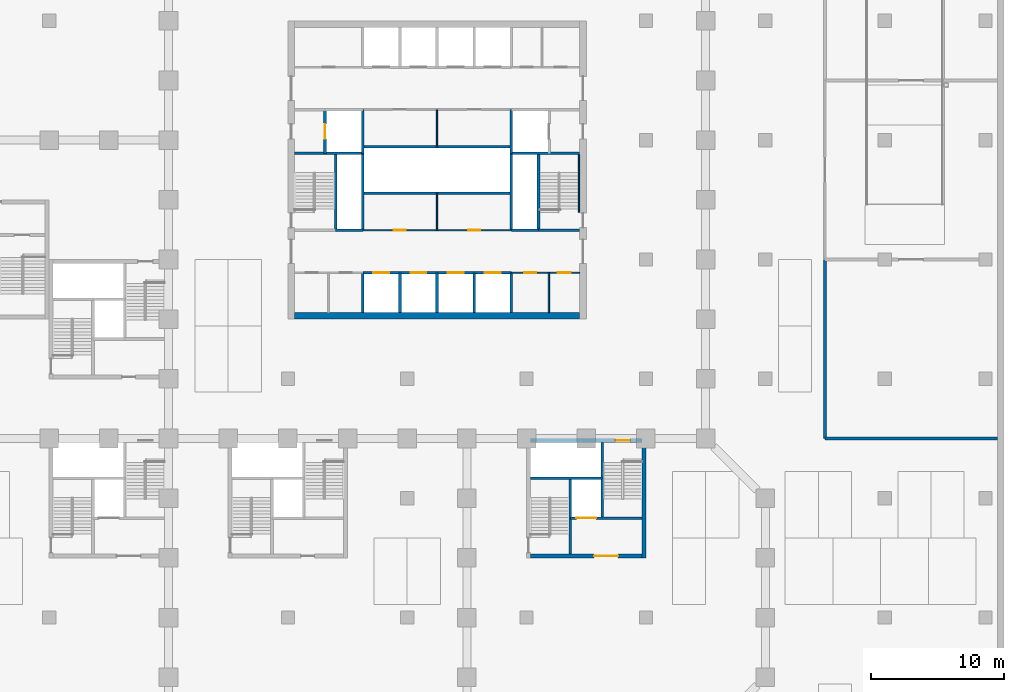
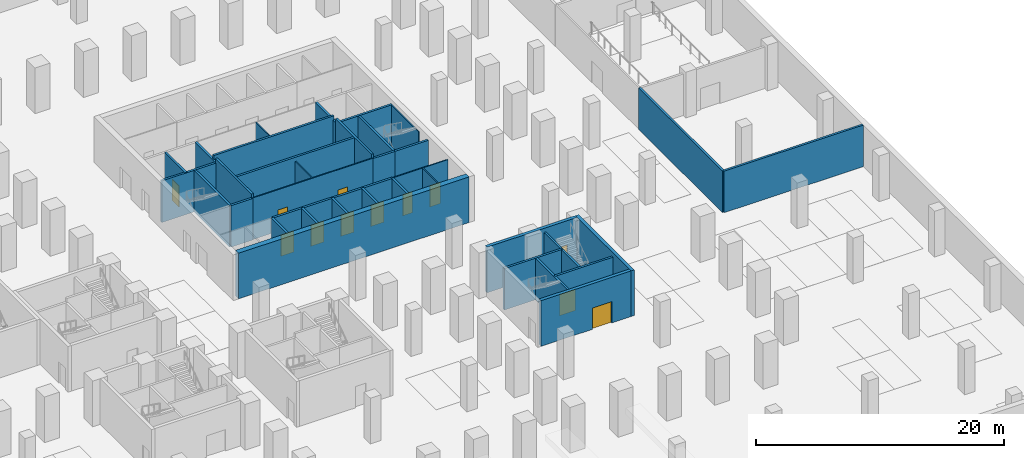
# One storey, part 9 of 16: 36 walls, 12 doors, 12 openings.
"""IFC4 building model written with IfcOpenShell, lengths in metres."""

from ifc_helpers import new_model, si_unit, direction, frame, frame_2d, origin, place, context, subcontext, project, spatial, rectangle, extrude, material, layer, layer_set, type_object, element, fill, save


model = new_model("IFC4")

# Units and contexts
model_context = context("Model", 3, precision=1e-05, world=origin(), true_north=direction((0.0, 1.0)))
body_context = subcontext(model_context, "Body", "Model", "MODEL_VIEW")
ifc_project = project(units=[si_unit("LENGTHUNIT", "METRE"), si_unit("AREAUNIT", "SQUARE_METRE"), si_unit("VOLUMEUNIT", "CUBIC_METRE"), si_unit("PLANEANGLEUNIT", "RADIAN"), si_unit("MASSUNIT", "GRAM", prefix="KILO")], contexts=[model_context])

# Site, building, storey
site_placement = place(None, origin())
site = spatial("IfcSite", under=ifc_project, at=site_placement, CompositionType="ELEMENT")
building_placement = place(site_placement, origin())
building = spatial("IfcBuilding", under=site, at=building_placement, Name="Quoin Convention Tower", CompositionType="ELEMENT")
storey_placement = place(building_placement, frame((0.0, 0.0, -4.5)))
storey = spatial("IfcBuildingStorey", under=building, at=storey_placement, Name="B1", CompositionType="ELEMENT", Elevation=-4.5)

# Walls
ifc_material_1 = material(Name="Plasterboard")
ifc_layer_1 = layer(ifc_material_1, 0.012451171875, Name="Finish")
ifc_material_2 = material(Name="Steel stud framing", Category="steel")
ifc_layer_2 = layer(ifc_material_2, 0.175048828125, Name="Structure")
ifc_layer_3 = layer(ifc_material_1, 0.012451171875, Name="Finish")
ifc_layer_set_1 = layer_set([ifc_layer_1, ifc_layer_2, ifc_layer_3], Name="Steel stud framing")
wall_type_1 = type_object("IfcWallType", Name="Block wall 200", PredefinedType="PARTITIONING", material=ifc_layer_set_1)
wall_1_placement = place(storey_placement, frame((85.5, 40.5, 0.0), z_axis=(0.0, 0.0, 1.0), x_axis=(1.0, 0.0, 0.0)))
element("IfcWall", 1, at=wall_1_placement, inside=storey, type_object=wall_type_1, Name="pw-B1-014", PredefinedType="PARTITIONING", context=body_context, shape_type="SweptSolid", body=[
    extrude(rectangle(XDim=13.0, YDim=0.199951171875, at=frame_2d((6.5, 0.0))), origin(), (0.0, 0.0, 1.0), 4.10009765625),
])
wall_2_placement = place(storey_placement, frame((85.5, 40.5, 0.0), z_axis=(0.0, 0.0, 1.0), x_axis=(0.0, 1.0, 0.0)))
element("IfcWall", 2, at=wall_2_placement, inside=storey, type_object=wall_type_1, Name="pw-B1-015", PredefinedType="PARTITIONING", context=body_context, shape_type="SweptSolid", body=[
    extrude(rectangle(XDim=13.5, YDim=0.199951171875, at=frame_2d((6.75, 0.0))), origin(), (0.0, 0.0, 1.0), 4.10009765625),
])

# Wall, openings, doors
ifc_layer_4 = layer(ifc_material_1, 0.012451171875, Name="Finish")
ifc_layer_5 = layer(ifc_material_2, 0.074951171875, Name="Structure")
ifc_layer_6 = layer(ifc_material_1, 0.012451171875, Name="Finish")
ifc_layer_set_2 = layer_set([ifc_layer_4, ifc_layer_5, ifc_layer_6], Name="Steel stud framing")
wall_type_2 = type_object("IfcWallType", Name="Core partition wall", PredefinedType="PARTITIONING", material=ifc_layer_set_2)
wall_3_placement = place(storey_placement, frame((61.85009765625, 53.0, 0.0), z_axis=(0.0, 0.0, 1.0), x_axis=(1.0, 0.0, 0.0)))
wall_3 = element("IfcWall", 3, at=wall_3_placement, inside=storey, type_object=wall_type_2, Name="cr-C1-B1-h3500_16850", PredefinedType="PARTITIONING", context=body_context, shape_type="SweptSolid", body=[
    extrude(rectangle(XDim=5.14990234375, YDim=0.10009765625, at=frame_2d((2.574951171875, 0.0))), origin(), (0.0, 0.0, 1.0), 4.10009765625),
])
opening_1_placement = place(wall_3_placement, frame((3.4912109375, 0.0, 0.0)))
opening_1 = element("IfcOpeningElement", 4, at=opening_1_placement, cuts=wall_3, Name="Opening DCV0-30", PredefinedType="OPENING", context=body_context, shape_type="SweptSolid", body=[
    extrude(rectangle(XDim=1.0, YDim=2.10009765625, at=frame_2d((0.5, 1.050048828125))), frame((0.0, 0.06005859375, 0.0), z_axis=(0.0, -1.0, 0.0), x_axis=(1.0, 0.0, 0.0)), (0.0, 0.0, 1.0), 0.1201171875),
])
opening_2_placement = place(wall_3_placement, frame((0.96630859375, 0.0, 0.0)))
opening_2 = element("IfcOpeningElement", 5, at=opening_2_placement, cuts=wall_3, Name="Opening DCV0-27", PredefinedType="OPENING", context=body_context, shape_type="SweptSolid", body=[
    extrude(rectangle(XDim=0.89990234375, YDim=2.10009765625, at=frame_2d((0.449951171875, 1.050048828125))), frame((0.0, 0.06005859375, 0.0), z_axis=(0.0, -1.0, 0.0), x_axis=(1.0, 0.0, 0.0)), (0.0, 0.0, 1.0), 0.1201171875),
])
ifc_material_3 = material(Name="Steel door leaf", Category="steel")
door_type_1 = type_object("IfcDoorType", Name="Core room door 1000 x 2100", OperationType="SINGLE_SWING_LEFT", PredefinedType="DOOR", material=ifc_material_3)
door_1_placement = place(opening_1_placement, frame((1.0, 0.0, 0.0), z_axis=(0.0, 0.0, 1.0), x_axis=(-1.0, 0.0, 0.0)))
door_1 = element("IfcDoor", 6, at=door_1_placement, inside=storey, type_object=door_type_1, Name="cd-C1-B1-CSE0-lobA-CDB110", OperationType="SINGLE_SWING_LEFT", OverallHeight=2.10009765625, OverallWidth=1.0, PredefinedType="DOOR", context=body_context, shape_type="SweptSolid", body=[
    extrude(rectangle(XDim=1.0, YDim=2.10009765625, at=frame_2d((0.5, 1.050048828125))), frame((0.0, 0.02490234375, 0.0), z_axis=(0.0, -1.0, 0.0), x_axis=(1.0, 0.0, 0.0)), (0.0, 0.0, 1.0), 0.050048828125),
])
fill(opening_1, door_1)
door_type_2 = type_object("IfcDoorType", Name="Core room door 900 x 2100", OperationType="SINGLE_SWING_LEFT", PredefinedType="DOOR", material=ifc_material_3)
door_2_placement = place(opening_2_placement, frame((0.89990234375, 0.0, 0.0), z_axis=(0.0, 0.0, 1.0), x_axis=(-1.0, 0.0, 0.0)))
door_2 = element("IfcDoor", 7, at=door_2_placement, inside=storey, type_object=door_type_2, Name="cd-C1-B1-CSE1-lobA-CDB111", OperationType="SINGLE_SWING_RIGHT", OverallHeight=2.10009765625, OverallWidth=0.89990234375, PredefinedType="DOOR", context=body_context, shape_type="SweptSolid", body=[
    extrude(rectangle(XDim=0.89990234375, YDim=2.10009765625, at=frame_2d((0.449951171875, 1.050048828125))), frame((0.0, 0.02490234375, 0.0), z_axis=(0.0, -1.0, 0.0), x_axis=(1.0, 0.0, 0.0)), (0.0, 0.0, 1.0), 0.050048828125),
])
fill(opening_2, door_2)

wall_4_placement = place(storey_placement, frame((50.64990234375, 56.199951171875, 0.0), z_axis=(0.0, 0.0, 1.0), x_axis=(1.0, 0.0, 0.0)))
wall_4 = element("IfcWall", 8, at=wall_4_placement, inside=storey, type_object=wall_type_2, Name="cr-C1-B1-h6700_5650", PredefinedType="PARTITIONING", context=body_context, shape_type="SweptSolid", body=[
    extrude(rectangle(XDim=11.2001953125, YDim=0.10009765625, at=frame_2d((5.60009765625, 0.0))), origin(), (0.0, 0.0, 1.0), 4.10009765625),
])
opening_3_placement = place(wall_4_placement, frame((2.35009765625, 0.0, 0.0)))
opening_3 = element("IfcOpeningElement", 9, at=opening_3_placement, cuts=wall_4, Name="Opening DCV0-54", PredefinedType="OPENING", context=body_context, shape_type="SweptSolid", body=[
    extrude(rectangle(XDim=0.89990234375, YDim=2.10009765625, at=frame_2d((0.449951171875, 1.050048828125))), frame((0.0, 0.06005859375, 0.0), z_axis=(0.0, -1.0, 0.0), x_axis=(1.0, 0.0, 0.0)), (0.0, 0.0, 1.0), 0.1201171875),
])
opening_4_placement = place(wall_4_placement, frame((7.949951171875, 0.0, 0.0)))
opening_4 = element("IfcOpeningElement", 10, at=opening_4_placement, cuts=wall_4, Name="Opening DCV0-55", PredefinedType="OPENING", context=body_context, shape_type="SweptSolid", body=[
    extrude(rectangle(XDim=0.89990234375, YDim=2.10009765625, at=frame_2d((0.449951171875, 1.050048828125))), frame((0.0, 0.06005859375, 0.0), z_axis=(0.0, -1.0, 0.0), x_axis=(1.0, 0.0, 0.0)), (0.0, 0.0, 1.0), 0.1201171875),
])
door_3_placement = place(opening_3_placement, origin())
door_3 = element("IfcDoor", 11, at=door_3_placement, inside=storey, type_object=door_type_2, Name="cd-C1-B1-F20-lobA-CDB114", OperationType="SINGLE_SWING_RIGHT", OverallHeight=2.10009765625, OverallWidth=0.89990234375, PredefinedType="DOOR", context=body_context, shape_type="SweptSolid", body=[
    extrude(rectangle(XDim=0.89990234375, YDim=2.10009765625, at=frame_2d((0.449951171875, 1.050048828125))), frame((0.0, 0.02490234375, 0.0), z_axis=(0.0, -1.0, 0.0), x_axis=(1.0, 0.0, 0.0)), (0.0, 0.0, 1.0), 0.050048828125),
])
fill(opening_3, door_3)
door_4_placement = place(opening_4_placement, origin())
door_4 = element("IfcDoor", 12, at=door_4_placement, inside=storey, type_object=door_type_2, Name="cd-C1-B1-F21-lobA-CDB115", OperationType="SINGLE_SWING_RIGHT", OverallHeight=2.10009765625, OverallWidth=0.89990234375, PredefinedType="DOOR", context=body_context, shape_type="SweptSolid", body=[
    extrude(rectangle(XDim=0.89990234375, YDim=2.10009765625, at=frame_2d((0.449951171875, 1.050048828125))), frame((0.0, 0.02490234375, 0.0), z_axis=(0.0, -1.0, 0.0), x_axis=(1.0, 0.0, 0.0)), (0.0, 0.0, 1.0), 0.050048828125),
])
fill(opening_4, door_4)

# Walls
for number, where, z_axis, x_axis, name in (
    (13, (56.25, 56.199951171875, 0.0), (0.0, 0.0, 1.0), (0.0, 1.0, 0.0), "cr-C1-B1-v11250_6700"),
    (14, (56.25, 62.5, 0.0), (0.0, 0.0, 1.0), (0.0, 1.0, 0.0), "cr-C1-B1-v11250_13000"),
):
    element("IfcWall", number, at=place(storey_placement, frame(where, z_axis=z_axis, x_axis=x_axis)), inside=storey, type_object=wall_type_2, Name=name, PredefinedType="PARTITIONING", context=body_context, shape_type="SweptSolid", body=[
        extrude(rectangle(XDim=2.800048828125, YDim=0.10009765625, at=frame_2d((1.39990234375, 0.0))), origin(), (0.0, 0.0, 1.0), 4.10009765625),
    ])
wall_5_placement = place(storey_placement, frame((64.6826171875, 50.0, 0.0), z_axis=(0.0, 0.0, 1.0), x_axis=(0.0, 1.0, 0.0)))
element("IfcWall", 15, at=wall_5_placement, inside=storey, type_object=wall_type_2, Name="cr-C1-B1-v19682_500", PredefinedType="PARTITIONING", context=body_context, shape_type="SweptSolid", body=[
    extrude(rectangle(XDim=3.0, YDim=0.10009765625, at=frame_2d((1.5, 0.0))), origin(), (0.0, 0.0, 1.0), 4.10009765625),
])

# Wall, openings, doors
ifc_material_4 = material(Name="Concrete C50", Category="concrete")
ifc_layer_7 = layer(ifc_material_4, 0.199951171875)
ifc_layer_set_3 = layer_set([ifc_layer_7], Name="Concrete C50")
wall_type_3 = type_object("IfcWallType", Name="Core shaft wall", PredefinedType="SOLIDWALL", material=ifc_layer_set_3)
wall_6_placement = place(storey_placement, frame((50.64990234375, 53.0, 0.0), z_axis=(0.0, 0.0, 1.0), x_axis=(1.0, 0.0, 0.0)))
wall_6 = element("IfcWall", 16, at=wall_6_placement, inside=storey, type_object=wall_type_3, Name="cr-C1-B1-h3500_5650", PredefinedType="SOLIDWALL", context=body_context, shape_type="SweptSolid", body=[
    extrude(rectangle(XDim=11.2001953125, YDim=0.199951171875, at=frame_2d((5.60009765625, 0.0))), origin(), (0.0, 0.0, 1.0), 4.10009765625),
])
opening_5_placement = place(wall_6_placement, frame((0.800048828125, 0.0, 0.0)))
opening_5 = element("IfcOpeningElement", 17, at=opening_5_placement, cuts=wall_6, Name="Opening LDL1", PredefinedType="OPENING", context=body_context, shape_type="SweptSolid", body=[
    extrude(rectangle(XDim=1.199951171875, YDim=2.10009765625, at=frame_2d((0.60009765625, 1.050048828125))), frame((0.0, 0.10986328125, 0.0), z_axis=(0.0, -1.0, 0.0), x_axis=(1.0, 0.0, 0.0)), (0.0, 0.0, 1.0), 0.219970703125),
])
opening_6_placement = place(wall_6_placement, frame((3.60009765625, 0.0, 0.0)))
opening_6 = element("IfcOpeningElement", 18, at=opening_6_placement, cuts=wall_6, Name="Opening LDL2", PredefinedType="OPENING", context=body_context, shape_type="SweptSolid", body=[
    extrude(rectangle(XDim=1.199951171875, YDim=2.10009765625, at=frame_2d((0.60009765625, 1.050048828125))), frame((0.0, 0.10986328125, 0.0), z_axis=(0.0, -1.0, 0.0), x_axis=(1.0, 0.0, 0.0)), (0.0, 0.0, 1.0), 0.219970703125),
])
opening_7_placement = place(wall_6_placement, frame((6.39990234375, 0.0, 0.0)))
opening_7 = element("IfcOpeningElement", 19, at=opening_7_placement, cuts=wall_6, Name="Opening LDL3", PredefinedType="OPENING", context=body_context, shape_type="SweptSolid", body=[
    extrude(rectangle(XDim=1.199951171875, YDim=2.10009765625, at=frame_2d((0.60009765625, 1.050048828125))), frame((0.0, 0.10986328125, 0.0), z_axis=(0.0, -1.0, 0.0), x_axis=(1.0, 0.0, 0.0)), (0.0, 0.0, 1.0), 0.219970703125),
])
opening_8_placement = place(wall_6_placement, frame((9.199951171875, 0.0, 0.0)))
opening_8 = element("IfcOpeningElement", 20, at=opening_8_placement, cuts=wall_6, Name="Opening LDL4", PredefinedType="OPENING", context=body_context, shape_type="SweptSolid", body=[
    extrude(rectangle(XDim=1.199951171875, YDim=2.10009765625, at=frame_2d((0.60009765625, 1.050048828125))), frame((0.0, 0.10986328125, 0.0), z_axis=(0.0, -1.0, 0.0), x_axis=(1.0, 0.0, 0.0)), (0.0, 0.0, 1.0), 0.219970703125),
])
door_type_3 = type_object("IfcDoorType", Name="Lift landing door 1200 x 2100", OperationType="DOUBLE_DOOR_SLIDING", PredefinedType="DOOR", material=ifc_material_3)
door_5_placement = place(opening_5_placement, origin())
door_5 = element("IfcDoor", 21, at=door_5_placement, inside=storey, type_object=door_type_3, Name="cd-C1-B1-R10-lobA-LDL1", OperationType="DOUBLE_DOOR_SLIDING", OverallHeight=2.10009765625, OverallWidth=1.199951171875, PredefinedType="DOOR", context=body_context, shape_type="SweptSolid", body=[
    extrude(rectangle(XDim=1.199951171875, YDim=2.10009765625, at=frame_2d((0.60009765625, 1.050048828125))), frame((0.0, 0.02490234375, 0.0), z_axis=(0.0, -1.0, 0.0), x_axis=(1.0, 0.0, 0.0)), (0.0, 0.0, 1.0), 0.050048828125),
])
fill(opening_5, door_5)
door_6_placement = place(opening_6_placement, origin())
door_6 = element("IfcDoor", 22, at=door_6_placement, inside=storey, type_object=door_type_3, Name="cd-C1-B1-R11-lobA-LDL2", OperationType="DOUBLE_DOOR_SLIDING", OverallHeight=2.10009765625, OverallWidth=1.199951171875, PredefinedType="DOOR", context=body_context, shape_type="SweptSolid", body=[
    extrude(rectangle(XDim=1.199951171875, YDim=2.10009765625, at=frame_2d((0.60009765625, 1.050048828125))), frame((0.0, 0.02490234375, 0.0), z_axis=(0.0, -1.0, 0.0), x_axis=(1.0, 0.0, 0.0)), (0.0, 0.0, 1.0), 0.050048828125),
])
fill(opening_6, door_6)
door_7_placement = place(opening_7_placement, origin())
door_7 = element("IfcDoor", 23, at=door_7_placement, inside=storey, type_object=door_type_3, Name="cd-C1-B1-R12-lobA-LDL3", OperationType="DOUBLE_DOOR_SLIDING", OverallHeight=2.10009765625, OverallWidth=1.199951171875, PredefinedType="DOOR", context=body_context, shape_type="SweptSolid", body=[
    extrude(rectangle(XDim=1.199951171875, YDim=2.10009765625, at=frame_2d((0.60009765625, 1.050048828125))), frame((0.0, 0.02490234375, 0.0), z_axis=(0.0, -1.0, 0.0), x_axis=(1.0, 0.0, 0.0)), (0.0, 0.0, 1.0), 0.050048828125),
])
fill(opening_7, door_7)
door_8_placement = place(opening_8_placement, origin())
door_8 = element("IfcDoor", 24, at=door_8_placement, inside=storey, type_object=door_type_3, Name="cd-C1-B1-R13-lobA-LDL4", OperationType="DOUBLE_DOOR_SLIDING", OverallHeight=2.10009765625, OverallWidth=1.199951171875, PredefinedType="DOOR", context=body_context, shape_type="SweptSolid", body=[
    extrude(rectangle(XDim=1.199951171875, YDim=2.10009765625, at=frame_2d((0.60009765625, 1.050048828125))), frame((0.0, 0.02490234375, 0.0), z_axis=(0.0, -1.0, 0.0), x_axis=(1.0, 0.0, 0.0)), (0.0, 0.0, 1.0), 0.050048828125),
])
fill(opening_8, door_8)

# Walls
for number, where, z_axis, x_axis, name in (
    (25, (48.60009765625, 56.199951171875, 0.0), (0.0, 0.0, 1.0), (1.0, 0.0, 0.0), "cr-C1-B1-h6700_3600"),
    (26, (61.85009765625, 56.199951171875, 0.0), (0.0, 0.0, 1.0), (1.0, 0.0, 0.0), "cr-C1-B1-h6700_16850"),
):
    element("IfcWall", number, at=place(storey_placement, frame(where, z_axis=z_axis, x_axis=x_axis)), inside=storey, type_object=wall_type_3, Name=name, PredefinedType="SOLIDWALL", context=body_context, shape_type="SweptSolid", body=[
        extrude(rectangle(XDim=2.0498046875, YDim=0.199951171875, at=frame_2d((1.02490234375, 0.0))), origin(), (0.0, 0.0, 1.0), 4.10009765625),
    ])
wall_7_placement = place(storey_placement, frame((63.89990234375, 56.199951171875, 0.0), z_axis=(0.0, 0.0, 1.0), x_axis=(1.0, 0.0, 0.0)))
element("IfcWall", 27, at=wall_7_placement, inside=storey, type_object=wall_type_3, Name="cr-C1-B1-h6700_18900", PredefinedType="SOLIDWALL", context=body_context, shape_type="SweptSolid", body=[
    extrude(rectangle(XDim=3.10009765625, YDim=0.199951171875, at=frame_2d((1.550048828125, 0.0))), origin(), (0.0, 0.0, 1.0), 4.10009765625),
])
for number, where, z_axis, x_axis, name in (
    (28, (45.5, 62.0, 0.0), (0.0, 0.0, 1.0), (1.0, 0.0, 0.0), "cr-C1-B1-h12500_500"),
    (29, (61.85009765625, 62.0, 0.0), (0.0, 0.0, 1.0), (1.0, 0.0, 0.0), "cr-C1-B1-h12500_16850"),
):
    element("IfcWall", number, at=place(storey_placement, frame(where, z_axis=z_axis, x_axis=x_axis)), inside=storey, type_object=wall_type_3, Name=name, PredefinedType="SOLIDWALL", context=body_context, shape_type="SweptSolid", body=[
        extrude(rectangle(XDim=5.14990234375, YDim=0.199951171875, at=frame_2d((2.574951171875, 0.0))), origin(), (0.0, 0.0, 1.0), 4.10009765625),
    ])

# Wall, opening, door
wall_8_placement = place(storey_placement, frame((47.800048828125, 62.0, 0.0), z_axis=(0.0, 0.0, 1.0), x_axis=(0.0, 1.0, 0.0)))
wall_8 = element("IfcWall", 30, at=wall_8_placement, inside=storey, type_object=wall_type_3, Name="cr-C1-B1-v2800_12500", PredefinedType="SOLIDWALL", context=body_context, shape_type="SweptSolid", body=[
    extrude(rectangle(XDim=3.300048828125, YDim=0.199951171875, at=frame_2d((1.64990234375, 0.0))), origin(), (0.0, 0.0, 1.0), 4.10009765625),
])
opening_9_placement = place(wall_8_placement, frame((1.10009765625, 0.0, 0.0)))
opening_9 = element("IfcOpeningElement", 31, at=opening_9_placement, cuts=wall_8, Name="Opening LDFL1", PredefinedType="OPENING", context=body_context, shape_type="SweptSolid", body=[
    extrude(rectangle(XDim=1.10009765625, YDim=2.10009765625, at=frame_2d((0.550048828125, 1.050048828125))), frame((0.0, 0.10986328125, 0.0), z_axis=(0.0, -1.0, 0.0), x_axis=(1.0, 0.0, 0.0)), (0.0, 0.0, 1.0), 0.219970703125),
])
door_type_4 = type_object("IfcDoorType", Name="Lift landing door 1100 x 2100", OperationType="DOUBLE_DOOR_SLIDING", PredefinedType="DOOR", material=ifc_material_3)
door_9_placement = place(opening_9_placement, origin())
door_9 = element("IfcDoor", 32, at=door_9_placement, inside=storey, type_object=door_type_4, Name="cd-C1-B1-FLW-FFW-LDFL1", OperationType="DOUBLE_DOOR_SLIDING", OverallHeight=2.10009765625, OverallWidth=1.10009765625, PredefinedType="DOOR", context=body_context, shape_type="SweptSolid", body=[
    extrude(rectangle(XDim=1.10009765625, YDim=2.10009765625, at=frame_2d((0.550048828125, 1.050048828125))), frame((0.0, 0.02490234375, 0.0), z_axis=(0.0, -1.0, 0.0), x_axis=(1.0, 0.0, 0.0)), (0.0, 0.0, 1.0), 0.050048828125),
])
fill(opening_9, door_9)

# Walls
wall_9_placement = place(storey_placement, frame((48.60009765625, 56.199951171875, 0.0), z_axis=(0.0, 0.0, 1.0), x_axis=(0.0, 1.0, 0.0)))
element("IfcWall", 33, at=wall_9_placement, inside=storey, type_object=wall_type_3, Name="cr-C1-B1-v3600_6700", PredefinedType="SOLIDWALL", context=body_context, shape_type="SweptSolid", body=[
    extrude(rectangle(XDim=5.800048828125, YDim=0.199951171875, at=frame_2d((2.89990234375, 0.0))), origin(), (0.0, 0.0, 1.0), 4.10009765625),
])
wall_10_placement = place(storey_placement, frame((50.64990234375, 50.0, 0.0), z_axis=(0.0, 0.0, 1.0), x_axis=(0.0, 1.0, 0.0)))
element("IfcWall", 34, at=wall_10_placement, inside=storey, type_object=wall_type_3, Name="cr-C1-B1-v5650_500", PredefinedType="SOLIDWALL", context=body_context, shape_type="SweptSolid", body=[
    extrude(rectangle(XDim=3.0, YDim=0.199951171875, at=frame_2d((1.5, 0.0))), origin(), (0.0, 0.0, 1.0), 4.10009765625),
])
wall_11_placement = place(storey_placement, frame((50.64990234375, 62.0, 0.0), z_axis=(0.0, 0.0, 1.0), x_axis=(0.0, 1.0, 0.0)))
element("IfcWall", 35, at=wall_11_placement, inside=storey, type_object=wall_type_3, Name="cr-C1-B1-v5650_12500", PredefinedType="SOLIDWALL", context=body_context, shape_type="SweptSolid", body=[
    extrude(rectangle(XDim=3.300048828125, YDim=0.199951171875, at=frame_2d((1.64990234375, 0.0))), origin(), (0.0, 0.0, 1.0), 4.10009765625),
])
for number, where, z_axis, x_axis, name in (
    (36, (53.449951171875, 50.0, 0.0), (0.0, 0.0, 1.0), (0.0, 1.0, 0.0), "cr-C1-B1-v8450_500"),
    (37, (56.25, 50.0, 0.0), (0.0, 0.0, 1.0), (0.0, 1.0, 0.0), "cr-C1-B1-v11250_500"),
    (38, (59.050048828125, 50.0, 0.0), (0.0, 0.0, 1.0), (0.0, 1.0, 0.0), "cr-C1-B1-v14050_500"),
    (39, (61.85009765625, 50.0, 0.0), (0.0, 0.0, 1.0), (0.0, 1.0, 0.0), "cr-C1-B1-v16850_500"),
):
    element("IfcWall", number, at=place(storey_placement, frame(where, z_axis=z_axis, x_axis=x_axis)), inside=storey, type_object=wall_type_3, Name=name, PredefinedType="SOLIDWALL", context=body_context, shape_type="SweptSolid", body=[
        extrude(rectangle(XDim=3.0, YDim=0.199951171875, at=frame_2d((1.5, 0.0))), origin(), (0.0, 0.0, 1.0), 4.10009765625),
    ])
wall_12_placement = place(storey_placement, frame((61.85009765625, 62.0, 0.0), z_axis=(0.0, 0.0, 1.0), x_axis=(0.0, 1.0, 0.0)))
element("IfcWall", 40, at=wall_12_placement, inside=storey, type_object=wall_type_3, Name="cr-C1-B1-v16850_12500", PredefinedType="SOLIDWALL", context=body_context, shape_type="SweptSolid", body=[
    extrude(rectangle(XDim=3.300048828125, YDim=0.199951171875, at=frame_2d((1.64990234375, 0.0))), origin(), (0.0, 0.0, 1.0), 4.10009765625),
])
wall_13_placement = place(storey_placement, frame((63.89990234375, 56.199951171875, 0.0), z_axis=(0.0, 0.0, 1.0), x_axis=(0.0, 1.0, 0.0)))
element("IfcWall", 41, at=wall_13_placement, inside=storey, type_object=wall_type_3, Name="cr-C1-B1-v18900_6700", PredefinedType="SOLIDWALL", context=body_context, shape_type="SweptSolid", body=[
    extrude(rectangle(XDim=5.800048828125, YDim=0.199951171875, at=frame_2d((2.89990234375, 0.0))), origin(), (0.0, 0.0, 1.0), 4.10009765625),
])

# Wall, opening, door
wall_14_placement = place(storey_placement, frame((66.300048828125, 34.5, 0.0), z_axis=(0.0, 0.0, 1.0), x_axis=(1.0, 0.0, 0.0)))
wall_14 = element("IfcWall", 42, at=wall_14_placement, inside=storey, type_object=wall_type_3, Name="cr-P5-B1-h3000_3300", PredefinedType="SOLIDWALL", context=body_context, shape_type="SweptSolid", body=[
    extrude(rectangle(XDim=5.39990234375, YDim=0.199951171875, at=frame_2d((2.699951171875, 0.0))), origin(), (0.0, 0.0, 1.0), 4.10009765625),
])
opening_10_placement = place(wall_14_placement, frame((0.449951171875, 0.0, 0.0)))
opening_10 = element("IfcOpeningElement", 43, at=opening_10_placement, cuts=wall_14, Name="Opening LDGL2", PredefinedType="OPENING", context=body_context, shape_type="SweptSolid", body=[
    extrude(rectangle(XDim=1.5, YDim=2.10009765625, at=frame_2d((0.75, 1.050048828125))), frame((0.0, 0.10986328125, 0.0), z_axis=(0.0, -1.0, 0.0), x_axis=(1.0, 0.0, 0.0)), (0.0, 0.0, 1.0), 0.219970703125),
])
door_type_5 = type_object("IfcDoorType", Name="Lift landing door 1500 x 2100", OperationType="DOUBLE_DOOR_SLIDING", PredefinedType="DOOR", material=ifc_material_3)
door_10_placement = place(opening_10_placement, origin())
door_10 = element("IfcDoor", 44, at=door_10_placement, inside=storey, type_object=door_type_5, Name="cd-P5-B1-CEN-R2-LDGL2", OperationType="DOUBLE_DOOR_SLIDING", OverallHeight=2.10009765625, OverallWidth=1.5, PredefinedType="DOOR", context=body_context, shape_type="SweptSolid", body=[
    extrude(rectangle(XDim=1.5, YDim=2.10009765625, at=frame_2d((0.75, 1.050048828125))), frame((0.0, 0.02490234375, 0.0), z_axis=(0.0, -1.0, 0.0), x_axis=(1.0, 0.0, 0.0)), (0.0, 0.0, 1.0), 0.050048828125),
])
fill(opening_10, door_10)

# Walls
wall_15_placement = place(storey_placement, frame((63.300048828125, 37.5, 0.0), z_axis=(0.0, 0.0, 1.0), x_axis=(1.0, 0.0, 0.0)))
element("IfcWall", 45, at=wall_15_placement, inside=storey, type_object=wall_type_3, Name="cr-P5-B1-h6000_300", PredefinedType="SOLIDWALL", context=body_context, shape_type="SweptSolid", body=[
    extrude(rectangle(XDim=5.39990234375, YDim=0.199951171875, at=frame_2d((2.699951171875, 0.0))), origin(), (0.0, 0.0, 1.0), 4.10009765625),
])
for number, where, z_axis, x_axis, name in (
    (46, (66.300048828125, 31.800048828125, 0.0), (0.0, 0.0, 1.0), (0.0, 1.0, 0.0), "cr-P5-B1-v3300_300"),
    (47, (68.699951171875, 34.5, 0.0), (0.0, 0.0, 1.0), (0.0, 1.0, 0.0), "cr-P5-B1-v5700_3000"),
):
    element("IfcWall", number, at=place(storey_placement, frame(where, z_axis=z_axis, x_axis=x_axis)), inside=storey, type_object=wall_type_3, Name=name, PredefinedType="SOLIDWALL", context=body_context, shape_type="SweptSolid", body=[
        extrude(rectangle(XDim=5.699951171875, YDim=0.199951171875, at=frame_2d((2.85009765625, 0.0))), origin(), (0.0, 0.0, 1.0), 4.10009765625),
    ])
ifc_layer_8 = layer(ifc_material_4, 0.199951171875)
ifc_layer_set_4 = layer_set([ifc_layer_8], Name="Concrete C50")
wall_type_4 = type_object("IfcWallType", Name="Core shaft wall to the floor level over", PredefinedType="SOLIDWALL", material=ifc_layer_set_4)
for number, where, z_axis, x_axis, name in (
    (48, (50.64990234375, 59.0, 0.0), (0.0, 0.0, 1.0), (1.0, 0.0, 0.0), "cr-C1-B1-h9500_5650"),
    (49, (50.64990234375, 62.5, 0.0), (0.0, 0.0, 1.0), (1.0, 0.0, 0.0), "cr-C1-B1-h13000_5650"),
):
    element("IfcWall", number, at=place(storey_placement, frame(where, z_axis=z_axis, x_axis=x_axis)), inside=storey, type_object=wall_type_4, Name=name, PredefinedType="SOLIDWALL", context=body_context, shape_type="SweptSolid", body=[
        extrude(rectangle(XDim=11.2001953125, YDim=0.199951171875, at=frame_2d((5.60009765625, 0.0))), origin(), (0.0, 0.0, 1.0), 4.5),
    ])
for number, where, z_axis, x_axis, name in (
    (50, (50.64990234375, 56.199951171875, 0.0), (0.0, 0.0, 1.0), (0.0, 1.0, 0.0), "cr-C1-B1-v5650_6700"),
    (51, (61.85009765625, 56.199951171875, 0.0), (0.0, 0.0, 1.0), (0.0, 1.0, 0.0), "cr-C1-B1-v16850_6700"),
):
    element("IfcWall", number, at=place(storey_placement, frame(where, z_axis=z_axis, x_axis=x_axis)), inside=storey, type_object=wall_type_4, Name=name, PredefinedType="SOLIDWALL", context=body_context, shape_type="SweptSolid", body=[
        extrude(rectangle(XDim=5.800048828125, YDim=0.199951171875, at=frame_2d((2.89990234375, 0.0))), origin(), (0.0, 0.0, 1.0), 4.5),
    ])

# Wall, opening, door
ifc_material_5 = material(Name="Concrete C100 (100 MPa)", Category="concrete")
ifc_layer_9 = layer(ifc_material_5, 0.300048828125)
ifc_layer_set_5 = layer_set([ifc_layer_9], Name="Concrete C100 (100 MPa)")
wall_type_5 = type_object("IfcWallType", Name="RC CORE WALL 300 C100", PredefinedType="SHEAR", material=ifc_layer_set_5)
wall_16_placement = place(storey_placement, frame((63.300048828125, 31.64990234375, 0.0), z_axis=(0.0, 0.0, 1.0), x_axis=(1.0, 0.0, 0.0)))
wall_16 = element("IfcWall", 52, at=wall_16_placement, inside=storey, type_object=wall_type_5, Name="cwl-P5-B1-S", PredefinedType="SHEAR", context=body_context, shape_type="SweptSolid", body=[
    extrude(rectangle(XDim=8.39990234375, YDim=0.300048828125, at=frame_2d((4.199951171875, 0.0))), origin(), (0.0, 0.0, 1.0), 4.5),
])
opening_11_placement = place(wall_16_placement, frame((4.800048828125, 0.0, 0.0)))
opening_11 = element("IfcOpeningElement", 53, at=opening_11_placement, cuts=wall_16, Name="Opening DCV0-63", PredefinedType="OPENING", context=body_context, shape_type="SweptSolid", body=[
    extrude(rectangle(XDim=1.800048828125, YDim=2.10009765625, at=frame_2d((0.89990234375, 1.050048828125))), frame((0.0, 0.159912109375, 0.0), z_axis=(0.0, -1.0, 0.0), x_axis=(1.0, 0.0, 0.0)), (0.0, 0.0, 1.0), 0.320068359375),
])
door_type_6 = type_object("IfcDoorType", Name="Goods lobby door 1800 x 2100", OperationType="SINGLE_SWING_LEFT", PredefinedType="DOOR", material=ifc_material_3)
door_11_placement = place(opening_11_placement, frame((1.800048828125, 0.0, 0.0), z_axis=(0.0, 0.0, 1.0), x_axis=(-1.0, 0.0, 0.0)))
door_11 = element("IfcDoor", 54, at=door_11_placement, inside=storey, type_object=door_type_6, Name="cd-P5-B1-R2-S", OperationType="SINGLE_SWING_LEFT", OverallHeight=2.10009765625, OverallWidth=1.800048828125, PredefinedType="DOOR", context=body_context, shape_type="SweptSolid", body=[
    extrude(rectangle(XDim=1.800048828125, YDim=2.10009765625, at=frame_2d((0.89990234375, 1.050048828125))), frame((0.0, 0.02490234375, 0.0), z_axis=(0.0, -1.0, 0.0), x_axis=(1.0, 0.0, 0.0)), (0.0, 0.0, 1.0), 0.050048828125),
])
fill(opening_11, door_11)

wall_17_placement = place(storey_placement, frame((63.300048828125, 40.35009765625, 0.0), z_axis=(0.0, 0.0, 1.0), x_axis=(1.0, 0.0, 0.0)))
wall_17 = element("IfcWall", 55, at=wall_17_placement, inside=storey, type_object=wall_type_5, Name="cwl-P5-B1-N", PredefinedType="SHEAR", context=body_context, shape_type="SweptSolid", body=[
    extrude(rectangle(XDim=8.39990234375, YDim=0.300048828125, at=frame_2d((4.199951171875, 0.0))), origin(), (0.0, 0.0, 1.0), 4.5),
])
opening_12_placement = place(wall_17_placement, frame((6.39990234375, 0.0, 0.0)))
opening_12 = element("IfcOpeningElement", 56, at=opening_12_placement, cuts=wall_17, Name="Opening SD10", PredefinedType="OPENING", context=body_context, shape_type="SweptSolid", body=[
    extrude(rectangle(XDim=1.10009765625, YDim=2.10009765625, at=frame_2d((0.550048828125, 1.050048828125))), frame((0.0, 0.159912109375, 0.0), z_axis=(0.0, -1.0, 0.0), x_axis=(1.0, 0.0, 0.0)), (0.0, 0.0, 1.0), 0.320068359375),
])
door_type_7 = type_object("IfcDoorType", Name="Stair door 1100 x 2100", OperationType="SINGLE_SWING_RIGHT", PredefinedType="DOOR", material=ifc_material_3)
door_12_placement = place(opening_12_placement, frame((1.10009765625, 0.0, 0.0), z_axis=(0.0, 0.0, 1.0), x_axis=(-1.0, 0.0, 0.0)))
door_12 = element("IfcDoor", 57, at=door_12_placement, inside=storey, type_object=door_type_7, Name="cd-P5-B1-SB-N", OperationType="SINGLE_SWING_LEFT", OverallHeight=2.10009765625, OverallWidth=1.10009765625, PredefinedType="DOOR", context=body_context, shape_type="SweptSolid", body=[
    extrude(rectangle(XDim=1.10009765625, YDim=2.10009765625, at=frame_2d((0.550048828125, 1.050048828125))), frame((0.0, 0.02490234375, 0.0), z_axis=(0.0, -1.0, 0.0), x_axis=(1.0, 0.0, 0.0)), (0.0, 0.0, 1.0), 0.050048828125),
])
fill(opening_12, door_12)

# Walls
wall_18_placement = place(storey_placement, frame((71.85009765625, 31.5, 0.0), z_axis=(0.0, 0.0, 1.0), x_axis=(0.0, 1.0, 0.0)))
element("IfcWall", 58, at=wall_18_placement, inside=storey, type_object=wall_type_5, Name="cwl-P5-B1-E", PredefinedType="SHEAR", context=body_context, shape_type="SweptSolid", body=[
    extrude(rectangle(XDim=9.0, YDim=0.300048828125, at=frame_2d((4.5, 0.0))), origin(), (0.0, 0.0, 1.0), 4.5),
])
ifc_layer_10 = layer(ifc_material_5, 0.5)
ifc_layer_set_6 = layer_set([ifc_layer_10], Name="Concrete C100 (100 MPa)")
wall_type_6 = type_object("IfcWallType", Name="RC CORE WALL 500 C100", PredefinedType="SHEAR", material=ifc_layer_set_6)
wall_19_placement = place(storey_placement, frame((45.5, 49.75, 0.0), z_axis=(0.0, 0.0, 1.0), x_axis=(1.0, 0.0, 0.0)))
element("IfcWall", 59, at=wall_19_placement, inside=storey, type_object=wall_type_6, Name="cwl-C1-B1-S", PredefinedType="SHEAR", context=body_context, shape_type="SweptSolid", body=[
    extrude(rectangle(XDim=21.5, YDim=0.5, at=frame_2d((10.75, 0.0))), origin(), (0.0, 0.0, 1.0), 4.5),
])
ifc_layer_11 = layer(ifc_material_4, 0.10009765625)
ifc_layer_set_7 = layer_set([ifc_layer_11], Name="Concrete C50")
wall_type_7 = type_object("IfcWallType", Name="Stair cell lining wall 100", PredefinedType="SOLIDWALL", material=ifc_layer_set_7)
wall_20_placement = place(storey_placement, frame((66.949951171875, 57.550048828125, 0.0), z_axis=(0.0, 0.0, 1.0), x_axis=(0.0, 1.0, 0.0)))
element("IfcWall", 60, at=wall_20_placement, inside=storey, type_object=wall_type_7, Name="cr-C1-B1-linSD2-1", PredefinedType="SOLIDWALL", context=body_context, shape_type="SweptSolid", body=[
    extrude(rectangle(XDim=4.349853515625, YDim=0.10009765625, at=frame_2d((2.1748046875, 0.0))), origin(), (0.0, 0.0, 1.0), 4.10009765625),
])

save(model, "model.ifc")
